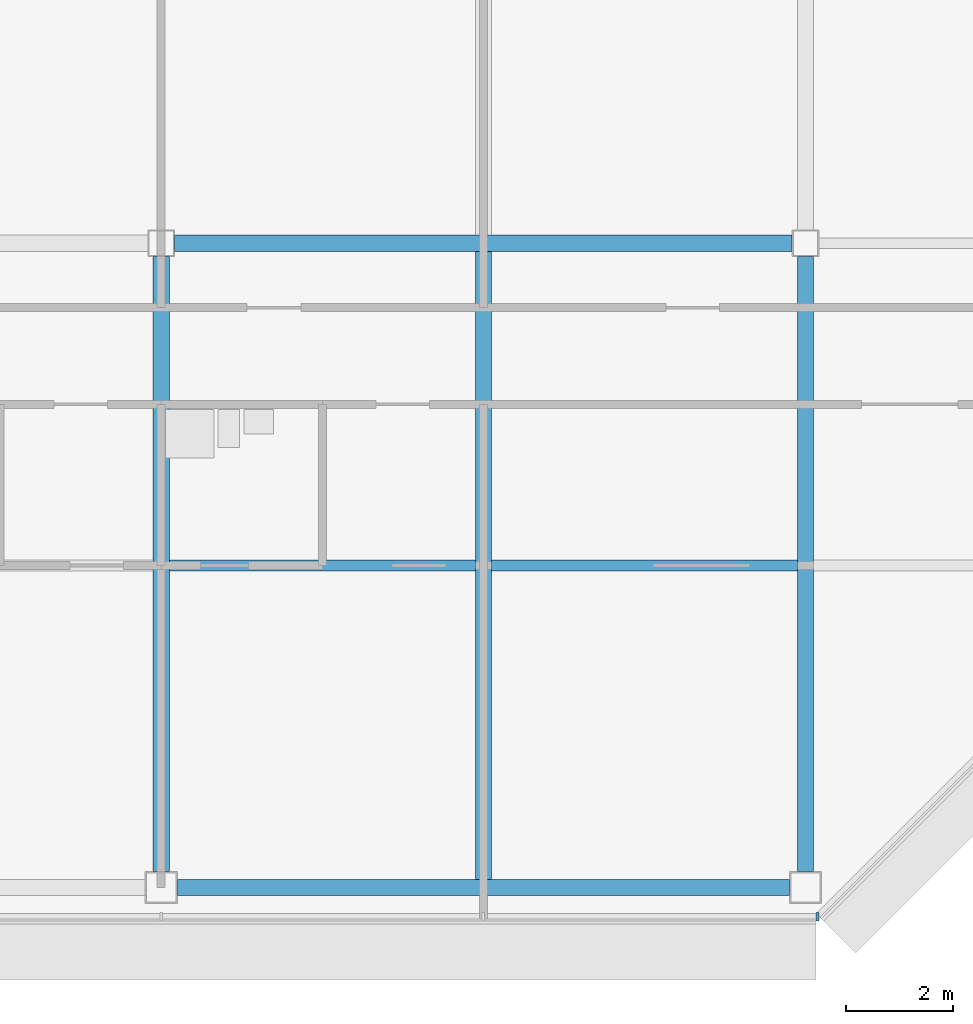
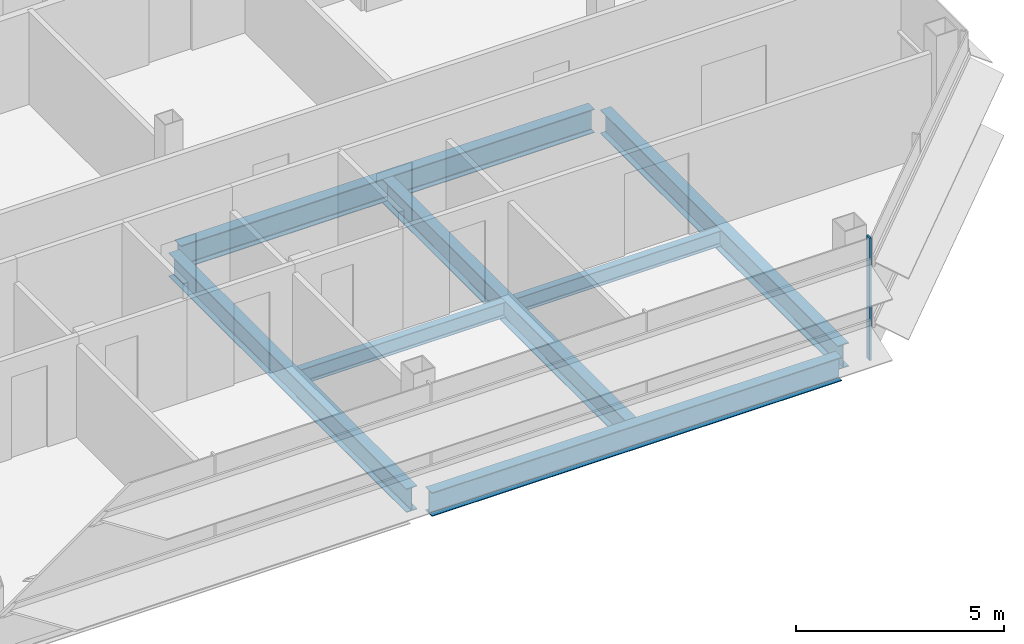
# One storey, part 10 of 28: 7 beams, 1 member, 1 element without a shape of its own.
"""IFC4 building model written with IfcOpenShell, lengths in metres."""

from ifc_helpers import new_model, si_unit, direction, frame, origin, origin_2d, place, context, subcontext, project, spatial, rectangle, i_section, extrude, material, material_profile, profile_set, type_object, element, aggregate, save


model = new_model("IFC4")

# Units and contexts
model_context = context("Model", 3, precision=1e-05, world=origin(), true_north=direction((0.0, 1.0)))
body_context = subcontext(model_context, "Body", "Model", "MODEL_VIEW")
ifc_project = project(units=[si_unit("LENGTHUNIT", "METRE"), si_unit("AREAUNIT", "SQUARE_METRE"), si_unit("VOLUMEUNIT", "CUBIC_METRE"), si_unit("PLANEANGLEUNIT", "RADIAN"), si_unit("MASSUNIT", "GRAM", prefix="KILO")], contexts=[model_context])

# Site, building, storey
site_placement = place(None, origin())
site = spatial("IfcSite", under=ifc_project, at=site_placement, CompositionType="ELEMENT")
building_placement = place(site_placement, origin())
building = spatial("IfcBuilding", under=site, at=building_placement, Name="Sorahane Residences", CompositionType="ELEMENT")
storey_placement = place(building_placement, frame((0.0, 0.0, 250.39990234375)))
storey = spatial("IfcBuildingStorey", under=building, at=storey_placement, Name="L59", CompositionType="ELEMENT", Elevation=250.39990234375)

# Curtain wall, member
ifc_material_1 = material(Name="Dark low-e glass and black anodised aluminium", Category="aluminium")
curtain_wall_type = type_object("IfcCurtainWallType", Name="Curtain wall CW-1 Typical unitised wall", PredefinedType="NOTDEFINED", material=ifc_material_1)
curtain_wall_placement = place(storey_placement, origin())
curtain_wall = element("IfcCurtainWall", 1, at=curtain_wall_placement, inside=storey, type_object=curtain_wall_type, Name="CW-1 curtain wall L59 S1", PredefinedType="NOTDEFINED")
ifc_material_2 = material(Name="Black anodised aluminium", Category="aluminium")
ifc_material_profile_1 = material_profile(ifc_material_2, rectangle(XDim=0.159912109375, YDim=0.050048828125, at=origin_2d()), Name="Curtain wall mullion CW-1 black anodised aluminium 50x160")
ifc_profile_set_1 = profile_set([ifc_material_profile_1], Name="Black anodised aluminium")
member_type = type_object("IfcMemberType", Name="Curtain wall mullion CW-1 black anodised aluminium 50x160", PredefinedType="MULLION", material=ifc_profile_set_1)
member_placement = place(storey_placement, frame((48.2236328125, -0.5400390625, -0.179931640625), z_axis=(0.0, 0.0, 1.0), x_axis=(0.0, -1.0, 0.0)))
member = element("IfcMember", 2, at=member_placement, type_object=member_type, Name="CW-1 mullion L59 S1.10", PredefinedType="MULLION", context=body_context, shape_type="SweptSolid", body=[
    extrude(rectangle(XDim=0.159912109375, YDim=0.050048828125, at=origin_2d()), origin(), (0.0, 0.0, 1.0), 3.60009765625),
])
aggregate(curtain_wall, [member])

# Beams
ifc_material_3 = material(Name="Steel Q355B", Category="steel")
ifc_material_profile_2 = material_profile(ifc_material_3, i_section(OverallWidth=0.199951171875, OverallDepth=0.449951171875, WebThickness=0.009033203125, FlangeThickness=0.013916015625, FilletRadius=0.02001953125, at=origin_2d()), Name="HN 450x200x9x14")
ifc_profile_set_2 = profile_set([ifc_material_profile_2], Name="Steel Q355B")
beam_type_1 = type_object("IfcBeamType", Name="Steel floor beam HN 450x200x9x14 Q355B", PredefinedType="BEAM", material=ifc_profile_set_2)
for number, where, z_axis, x_axis, name in (
    (3, (36.14990234375, 6.0, -0.40478515625), (1.0, 0.0, 0.0), (0.0, 1.0, 0.0), "Beam L59 075"),
    (4, (42.14990234375, 6.0, -0.40478515625), (1.0, 0.0, 0.0), (0.0, 1.0, 0.0), "Beam L59 076"),
):
    element("IfcBeam", number, at=place(storey_placement, frame(where, z_axis=z_axis, x_axis=x_axis)), inside=storey, type_object=beam_type_1, Name=name, PredefinedType="BEAM", context=body_context, shape_type="SweptSolid", body=[
        extrude(i_section(OverallWidth=0.199951171875, OverallDepth=0.449951171875, WebThickness=0.009033203125, FlangeThickness=0.013916015625, FilletRadius=0.02001953125, at=origin_2d()), origin(), (0.0, 0.0, 1.0), 5.7001953125),
    ])
ifc_material_4 = material(Name="Steel Q355B", Category="steel")
ifc_material_profile_3 = material_profile(ifc_material_4, i_section(OverallWidth=0.300048828125, OverallDepth=0.699951171875, WebThickness=0.012939453125, FlangeThickness=0.02392578125, FilletRadius=0.028076171875, at=origin_2d()), Name="HN 700x300x13x24")
ifc_profile_set_3 = profile_set([ifc_material_profile_3], Name="Steel Q355B")
beam_type_2 = type_object("IfcBeamType", Name="Steel floor beam HN 700x300x13x24 Q355B", PredefinedType="BEAM", material=ifc_profile_set_3)
beam_1_placement = place(storey_placement, frame((36.300048828125, 0.0, -0.52978515625), z_axis=(1.0, 0.0, 0.0), x_axis=(0.0, 1.0, 0.0)))
element("IfcBeam", 5, at=beam_1_placement, inside=storey, type_object=beam_type_2, Name="Beam L59 004", PredefinedType="BEAM", context=body_context, shape_type="SweptSolid", body=[
    extrude(i_section(OverallWidth=0.300048828125, OverallDepth=0.699951171875, WebThickness=0.012939453125, FlangeThickness=0.02392578125, FilletRadius=0.028076171875, at=origin_2d()), origin(), (0.0, 0.0, 1.0), 11.39990234375),
])
beam_2_placement = place(storey_placement, frame((36.25, 12.0, -0.52978515625), z_axis=(1.0, 0.0, 0.0), x_axis=(0.0, 1.0, 0.0)))
element("IfcBeam", 6, at=beam_2_placement, inside=storey, type_object=beam_type_2, Name="Beam L59 009", PredefinedType="BEAM", context=body_context, shape_type="SweptSolid", body=[
    extrude(i_section(OverallWidth=0.300048828125, OverallDepth=0.699951171875, WebThickness=0.012939453125, FlangeThickness=0.02392578125, FilletRadius=0.028076171875, at=origin_2d()), origin(), (0.0, 0.0, 1.0), 11.5),
])
beam_3_placement = place(storey_placement, frame((36.0, 0.300048828125, -0.52978515625), z_axis=(0.0, 1.0, 0.0), x_axis=(-1.0, 0.0, 0.0)))
element("IfcBeam", 7, at=beam_3_placement, inside=storey, type_object=beam_type_2, Name="Beam L59 050", PredefinedType="BEAM", context=body_context, shape_type="SweptSolid", body=[
    extrude(i_section(OverallWidth=0.300048828125, OverallDepth=0.699951171875, WebThickness=0.012939453125, FlangeThickness=0.02392578125, FilletRadius=0.028076171875, at=origin_2d()), origin(), (0.0, 0.0, 1.0), 11.449951171875),
])
beam_4_placement = place(storey_placement, frame((42.0, 0.14990234375, -0.52978515625), z_axis=(0.0, 1.0, 0.0), x_axis=(-1.0, 0.0, 0.0)))
element("IfcBeam", 8, at=beam_4_placement, inside=storey, type_object=beam_type_2, Name="Beam L59 052", PredefinedType="BEAM", context=body_context, shape_type="SweptSolid", body=[
    extrude(i_section(OverallWidth=0.300048828125, OverallDepth=0.699951171875, WebThickness=0.012939453125, FlangeThickness=0.02392578125, FilletRadius=0.028076171875, at=origin_2d()), origin(), (0.0, 0.0, 1.0), 11.7001953125),
])
beam_5_placement = place(storey_placement, frame((48.0, 0.300048828125, -0.52978515625), z_axis=(0.0, 1.0, 0.0), x_axis=(-1.0, 0.0, 0.0)))
element("IfcBeam", 9, at=beam_5_placement, inside=storey, type_object=beam_type_2, Name="Beam L59 058", PredefinedType="BEAM", context=body_context, shape_type="SweptSolid", body=[
    extrude(i_section(OverallWidth=0.300048828125, OverallDepth=0.699951171875, WebThickness=0.012939453125, FlangeThickness=0.02392578125, FilletRadius=0.028076171875, at=origin_2d()), origin(), (0.0, 0.0, 1.0), 11.449951171875),
])

save(model, "model.ifc")
